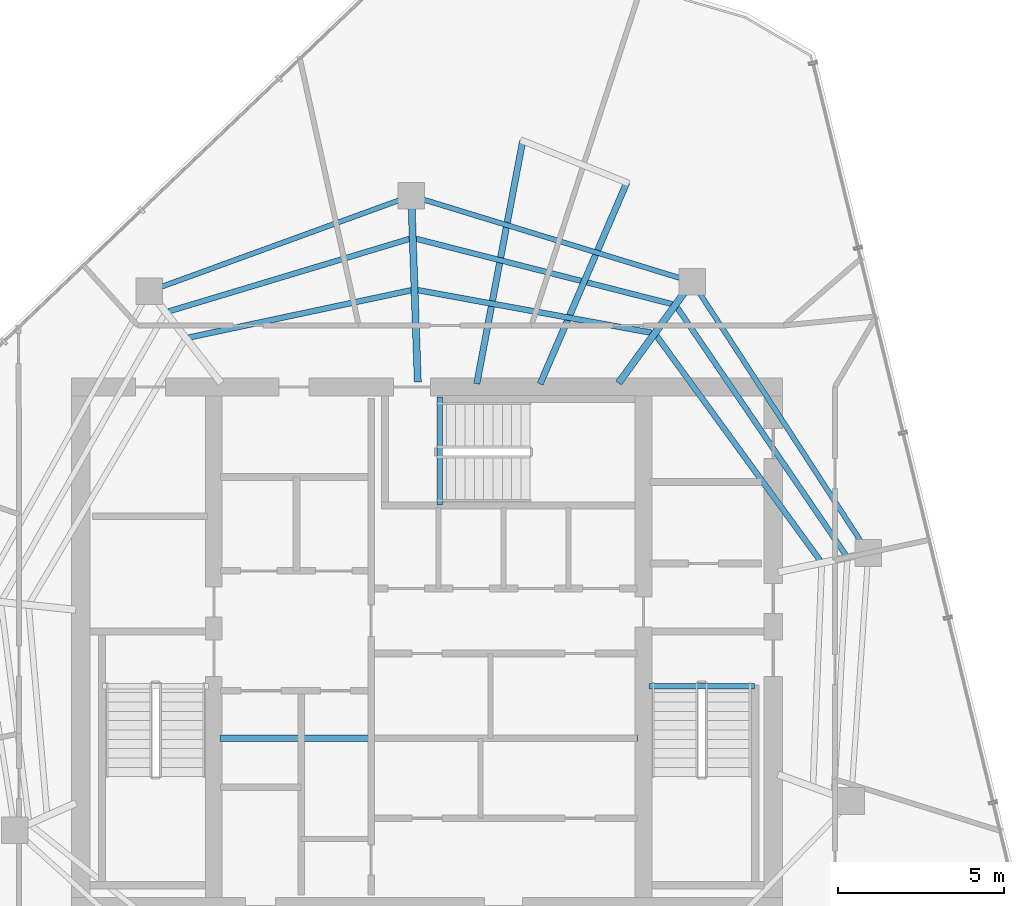
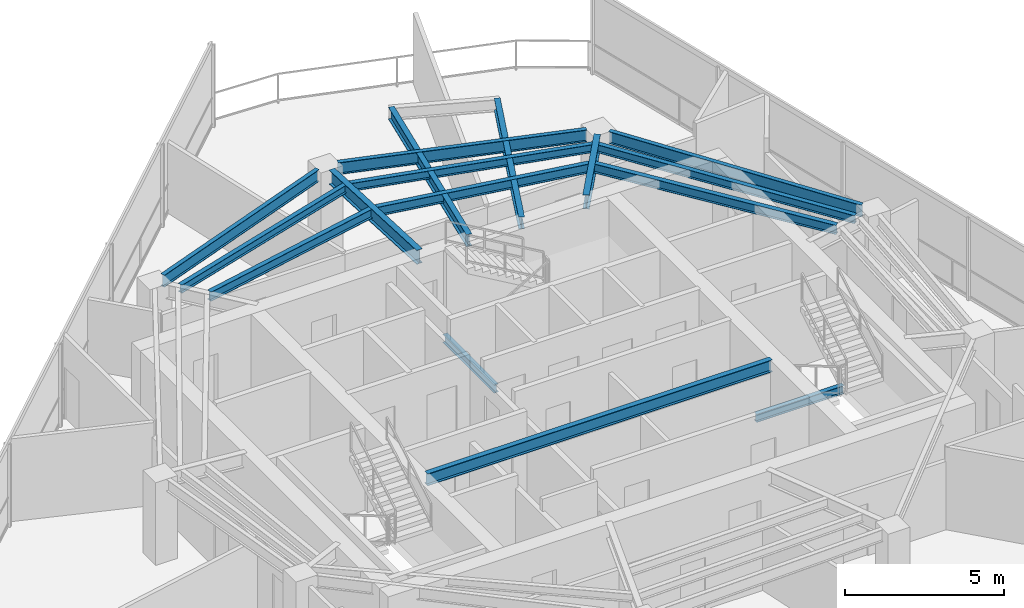
# One storey, part 9 of 19: 16 beams.
"""IFC4 building model written with IfcOpenShell, lengths in metres."""

from ifc_helpers import new_model, si_unit, direction, frame, origin, origin_2d, place, context, subcontext, project, spatial, i_section, extrude, material, material_profile, profile_set, type_object, element, save


model = new_model("IFC4")

# Units and contexts
model_context = context("Model", 3, precision=1e-05, world=origin(), true_north=direction((0.0, 1.0)))
body_context = subcontext(model_context, "Body", "Model", "MODEL_VIEW")
ifc_project = project(units=[si_unit("LENGTHUNIT", "METRE"), si_unit("AREAUNIT", "SQUARE_METRE"), si_unit("VOLUMEUNIT", "CUBIC_METRE"), si_unit("PLANEANGLEUNIT", "RADIAN"), si_unit("MASSUNIT", "GRAM", prefix="KILO")], contexts=[model_context])

# Site, building, storey
site_placement = place(None, origin())
site = spatial("IfcSite", under=ifc_project, at=site_placement, CompositionType="ELEMENT")
building_placement = place(site_placement, origin())
building = spatial("IfcBuilding", under=site, at=building_placement, Name="Qarnah Convention Tower", CompositionType="ELEMENT")
storey_placement = place(building_placement, frame((0.0, 0.0, 231.89990234375)))
storey = spatial("IfcBuildingStorey", under=building, at=storey_placement, Name="L62", CompositionType="ELEMENT", Elevation=231.89990234375)

# Beams
ifc_material = material(Name="Structural steel S355JR", Category="steel")
ifc_material_profile_1 = material_profile(ifc_material, i_section(OverallWidth=0.19189453125, OverallDepth=0.464111328125, WebThickness=0.010986328125, FlangeThickness=0.01806640625, at=origin_2d()), Name="W460X89")
ifc_profile_set_1 = profile_set([ifc_material_profile_1], Name="Structural steel S355JR")
beam_type_1 = type_object("IfcBeamType", Name="BM-CANT-W460A", PredefinedType="BEAM", material=ifc_profile_set_1)
beam_1_placement = place(storey_placement, frame((30.97998046875, 23.64990234375, 2.947998046875), z_axis=(1.0, 0.0, 0.0), x_axis=(0.0, 1.0, 0.0)))
element("IfcBeam", 1, at=beam_1_placement, inside=storey, type_object=beam_type_1, Name="L62 beam BM-L62-KC1", PredefinedType="BEAM", context=body_context, shape_type="SweptSolid", body=[
    extrude(i_section(OverallWidth=0.19189453125, OverallDepth=0.464111328125, WebThickness=0.010986328125, FlangeThickness=0.01806640625, at=origin_2d()), origin(), (0.0, 0.0, 1.0), 12.5400390625),
])
beam_2_placement = place(storey_placement, frame((38.694091796875, 34.298095703125, 2.947998046875), z_axis=(0.185836759901, 0.982580632146, 0.0), x_axis=(-0.982580632146, 0.185836759901, 0.0)))
element("IfcBeam", 2, at=beam_2_placement, inside=storey, type_object=beam_type_1, Name="L62 beam BM-L62-CNT-01-1", PredefinedType="BEAM", context=body_context, shape_type="SweptSolid", body=[
    extrude(i_section(OverallWidth=0.19189453125, OverallDepth=0.464111328125, WebThickness=0.010986328125, FlangeThickness=0.01806640625, at=origin_2d()), origin(), (0.0, 0.0, 1.0), 7.42529296875),
])
beam_3_placement = place(storey_placement, frame((40.596923828125, 34.2919921875, 2.947998046875), z_axis=(0.395203303624, 0.918593679929, 0.0), x_axis=(-0.918593679929, 0.395203303624, 0.0)))
element("IfcBeam", 3, at=beam_3_placement, inside=storey, type_object=beam_type_1, Name="L62 beam BM-L62-CNT-01-2", PredefinedType="BEAM", context=body_context, shape_type="SweptSolid", body=[
    extrude(i_section(OverallWidth=0.19189453125, OverallDepth=0.464111328125, WebThickness=0.010986328125, FlangeThickness=0.01806640625, at=origin_2d()), origin(), (0.0, 0.0, 1.0), 6.583984375),
])
ifc_material_profile_2 = material_profile(ifc_material, i_section(OverallWidth=0.166015625, OverallDepth=0.31201171875, WebThickness=0.007080078125, FlangeThickness=0.010986328125, at=origin_2d()), Name="W310X45")
ifc_profile_set_2 = profile_set([ifc_material_profile_2], Name="Structural steel S355JR")
beam_type_2 = type_object("IfcBeamType", Name="BM-JST-W310", PredefinedType="JOIST", material=ifc_profile_set_2)
beam_4_placement = place(storey_placement, frame((43.860107421875, 25.217041015625, -0.156005859375), z_axis=(1.0, 0.0, 0.0), x_axis=(0.0, 1.0, 0.0)))
element("IfcBeam", 4, at=beam_4_placement, inside=storey, type_object=beam_type_2, Name="L62 stair landing trimmer beam BM-L62-ST2-TRM", PredefinedType="BEAM", context=body_context, shape_type="SweptSolid", body=[
    extrude(i_section(OverallWidth=0.166015625, OverallDepth=0.31201171875, WebThickness=0.007080078125, FlangeThickness=0.010986328125, at=origin_2d()), origin(), (0.0, 0.0, 1.0), 3.179931640625),
])
beam_5_placement = place(storey_placement, frame((37.5830078125, 30.659912109375, -0.156005859375), z_axis=(0.0, 1.0, 0.0), x_axis=(-1.0, 0.0, 0.0)))
element("IfcBeam", 5, at=beam_5_placement, inside=storey, type_object=beam_type_2, Name="L62 stair landing trimmer beam BM-L62-ST3-TRM", PredefinedType="BEAM", context=body_context, shape_type="SweptSolid", body=[
    extrude(i_section(OverallWidth=0.166015625, OverallDepth=0.31201171875, WebThickness=0.007080078125, FlangeThickness=0.010986328125, at=origin_2d()), origin(), (0.0, 0.0, 1.0), 3.239990234375),
])
beam_6_placement = place(storey_placement, frame((49.77490234375, 29.156982421875, 3.024169921875), z_axis=(-0.563001631712, 0.826455783869, 0.0), x_axis=(-0.826455783869, -0.563001631712, 0.0)))
element("IfcBeam", 6, at=beam_6_placement, inside=storey, type_object=beam_type_2, Name="L62 joist BM-L62-SJST-01", PredefinedType="JOIST", context=body_context, shape_type="SweptSolid", body=[
    extrude(i_section(OverallWidth=0.166015625, OverallDepth=0.31201171875, WebThickness=0.007080078125, FlangeThickness=0.010986328125, at=origin_2d()), origin(), (0.0, 0.0, 1.0), 8.996337890625),
])
beam_7_placement = place(storey_placement, frame((44.572021484375, 36.68798828125, 3.024169921875), z_axis=(-0.968934754796, 0.247316479331, 0.0), x_axis=(-0.247316479331, -0.968934754796, 0.0)))
element("IfcBeam", 7, at=beam_7_placement, inside=storey, type_object=beam_type_2, Name="L62 joist BM-L62-SJST-02", PredefinedType="JOIST", context=body_context, shape_type="SweptSolid", body=[
    extrude(i_section(OverallWidth=0.166015625, OverallDepth=0.31201171875, WebThickness=0.007080078125, FlangeThickness=0.010986328125, at=origin_2d()), origin(), (0.0, 0.0, 1.0), 7.96142578125),
])
beam_8_placement = place(storey_placement, frame((36.68505859375, 38.653076171875, 3.024169921875), z_axis=(-0.957523859176, -0.288354051661, 0.0), x_axis=(0.288354051661, -0.957523859176, 0.0)))
element("IfcBeam", 8, at=beam_8_placement, inside=storey, type_object=beam_type_2, Name="L62 joist BM-L62-SJST-03", PredefinedType="JOIST", context=body_context, shape_type="SweptSolid", body=[
    extrude(i_section(OverallWidth=0.166015625, OverallDepth=0.31201171875, WebThickness=0.007080078125, FlangeThickness=0.010986328125, at=origin_2d()), origin(), (0.0, 0.0, 1.0), 7.567626953125),
])
ifc_material_profile_3 = material_profile(ifc_material, i_section(OverallWidth=0.172119140625, OverallDepth=0.35595703125, WebThickness=0.007080078125, FlangeThickness=0.011962890625, at=origin_2d()), Name="W360X51")
ifc_profile_set_3 = profile_set([ifc_material_profile_3], Name="Structural steel S355JR")
beam_type_3 = type_object("IfcBeamType", Name="BM-JST-W360", PredefinedType="JOIST", material=ifc_profile_set_3)
beam_9_placement = place(storey_placement, frame((49.0029296875, 28.992919921875, 3.002197265625), z_axis=(-0.588556041219, 0.808456422045, 0.0), x_axis=(-0.808456422045, -0.588556041219, 0.0)))
element("IfcBeam", 9, at=beam_9_placement, inside=storey, type_object=beam_type_3, Name="L62 joist BM-L62-IJST-01", PredefinedType="JOIST", context=body_context, shape_type="SweptSolid", body=[
    extrude(i_section(OverallWidth=0.172119140625, OverallDepth=0.35595703125, WebThickness=0.007080078125, FlangeThickness=0.011962890625, at=origin_2d()), origin(), (0.0, 0.0, 1.0), 8.345703125),
])
beam_10_placement = place(storey_placement, frame((43.948974609375, 35.8291015625, 3.002197265625), z_axis=(-0.983774174693, 0.179411184731, 0.0), x_axis=(-0.179411184731, -0.983774174693, 0.0)))
element("IfcBeam", 10, at=beam_10_placement, inside=storey, type_object=beam_type_3, Name="L62 joist BM-L62-IJST-02", PredefinedType="JOIST", context=body_context, shape_type="SweptSolid", body=[
    extrude(i_section(OverallWidth=0.172119140625, OverallDepth=0.35595703125, WebThickness=0.007080078125, FlangeThickness=0.011962890625, at=origin_2d()), origin(), (0.0, 0.0, 1.0), 7.15087890625),
])
beam_11_placement = place(storey_placement, frame((36.737060546875, 37.10888671875, 3.002197265625), z_axis=(-0.978144875608, -0.207924511115, 0.0), x_axis=(0.207924511115, -0.978144875608, 0.0)))
element("IfcBeam", 11, at=beam_11_placement, inside=storey, type_object=beam_type_3, Name="L62 joist BM-L62-IJST-03", PredefinedType="JOIST", context=body_context, shape_type="SweptSolid", body=[
    extrude(i_section(OverallWidth=0.172119140625, OverallDepth=0.35595703125, WebThickness=0.007080078125, FlangeThickness=0.011962890625, at=origin_2d()), origin(), (0.0, 0.0, 1.0), 6.83837890625),
])
ifc_material_profile_4 = material_profile(ifc_material, i_section(OverallWidth=0.2119140625, OverallDepth=0.5400390625, WebThickness=0.011962890625, FlangeThickness=0.01904296875, at=origin_2d()), Name="W530X109")
ifc_profile_set_4 = profile_set([ifc_material_profile_4], Name="Structural steel S355JR")
beam_type_4 = type_object("IfcBeamType", Name="BM-RAD-W530A", PredefinedType="BEAM", material=ifc_profile_set_4)
beam_12_placement = place(storey_placement, frame((42.955078125, 34.321044921875, 2.91015625), z_axis=(0.587699029113, 0.809079632162, 0.0), x_axis=(-0.809079632162, 0.587699029113, 0.0)))
element("IfcBeam", 12, at=beam_12_placement, inside=storey, type_object=beam_type_4, Name="L62 beam BM-L62-RAD-02", PredefinedType="BEAM", context=body_context, shape_type="SweptSolid", body=[
    extrude(i_section(OverallWidth=0.2119140625, OverallDepth=0.5400390625, WebThickness=0.011962890625, FlangeThickness=0.01904296875, at=origin_2d()), origin(), (0.0, 0.0, 1.0), 3.37890625),
])
beam_13_placement = place(storey_placement, frame((36.923095703125, 34.35009765625, 2.91015625), z_axis=(-0.035110435588, 0.999383438582, 0.0), x_axis=(-0.999383438582, -0.035110435588, 0.0)))
element("IfcBeam", 13, at=beam_13_placement, inside=storey, type_object=beam_type_4, Name="L62 beam BM-L62-RAD-03", PredefinedType="BEAM", context=body_context, shape_type="SweptSolid", body=[
    extrude(i_section(OverallWidth=0.2119140625, OverallDepth=0.5400390625, WebThickness=0.011962890625, FlangeThickness=0.01904296875, at=origin_2d()), origin(), (0.0, 0.0, 1.0), 5.215087890625),
])
ifc_material_profile_5 = material_profile(ifc_material, i_section(OverallWidth=0.154052734375, OverallDepth=0.4599609375, WebThickness=0.009033203125, FlangeThickness=0.014892578125, at=origin_2d()), Name="W460X68")
ifc_profile_set_5 = profile_set([ifc_material_profile_5], Name="Structural steel S355JR")
beam_type_5 = type_object("IfcBeamType", Name="BM-SPN-W460B", PredefinedType="SPANDREL", material=ifc_profile_set_5)
beam_14_placement = place(storey_placement, frame((50.241943359375, 29.5439453125, 2.9501953125), z_axis=(-0.544739511184, 0.838605309401, 0.0), x_axis=(-0.838605309401, -0.544739511184, 0.0)))
element("IfcBeam", 14, at=beam_14_placement, inside=storey, type_object=beam_type_5, Name="L62 spandrel BM-L62-SPN-01", PredefinedType="SPANDREL", context=body_context, shape_type="SweptSolid", body=[
    extrude(i_section(OverallWidth=0.154052734375, OverallDepth=0.4599609375, WebThickness=0.009033203125, FlangeThickness=0.014892578125, at=origin_2d()), origin(), (0.0, 0.0, 1.0), 8.9326171875),
])
beam_15_placement = place(storey_placement, frame((44.791015625, 37.47607421875, 2.9501953125), z_axis=(-0.95628886523, 0.292423675918, 0.0), x_axis=(-0.292423675918, -0.95628886523, 0.0)))
element("IfcBeam", 15, at=beam_15_placement, inside=storey, type_object=beam_type_5, Name="L62 spandrel BM-L62-SPN-02", PredefinedType="SPANDREL", context=body_context, shape_type="SweptSolid", body=[
    extrude(i_section(OverallWidth=0.154052734375, OverallDepth=0.4599609375, WebThickness=0.009033203125, FlangeThickness=0.014892578125, at=origin_2d()), origin(), (0.0, 0.0, 1.0), 8.04248046875),
])
beam_16_placement = place(storey_placement, frame((36.361083984375, 39.80908203125, 2.9501953125), z_axis=(-0.939671356419, -0.342078561044, 0.0), x_axis=(0.342078561044, -0.939671356419, 0.0)))
element("IfcBeam", 16, at=beam_16_placement, inside=storey, type_object=beam_type_5, Name="L62 spandrel BM-L62-SPN-03", PredefinedType="SPANDREL", context=body_context, shape_type="SweptSolid", body=[
    extrude(i_section(OverallWidth=0.154052734375, OverallDepth=0.4599609375, WebThickness=0.009033203125, FlangeThickness=0.014892578125, at=origin_2d()), origin(), (0.0, 0.0, 1.0), 7.59521484375),
])

save(model, "model.ifc")
